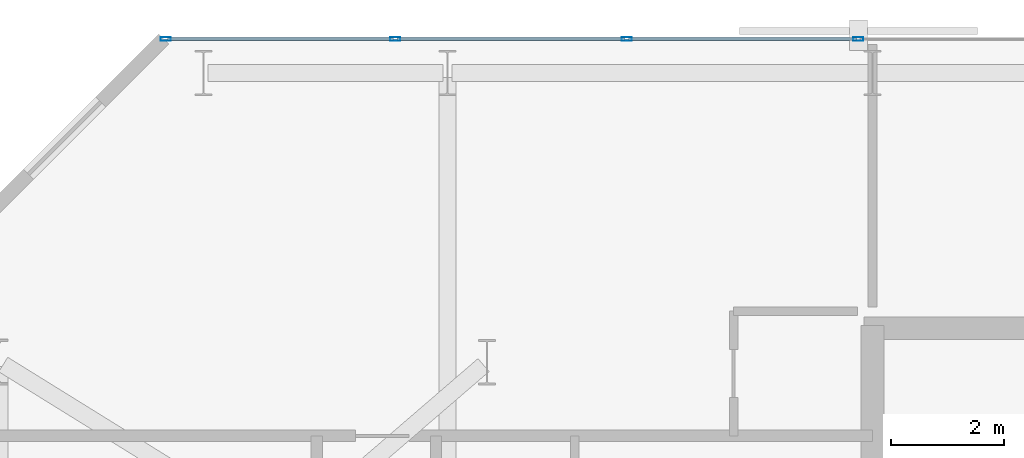
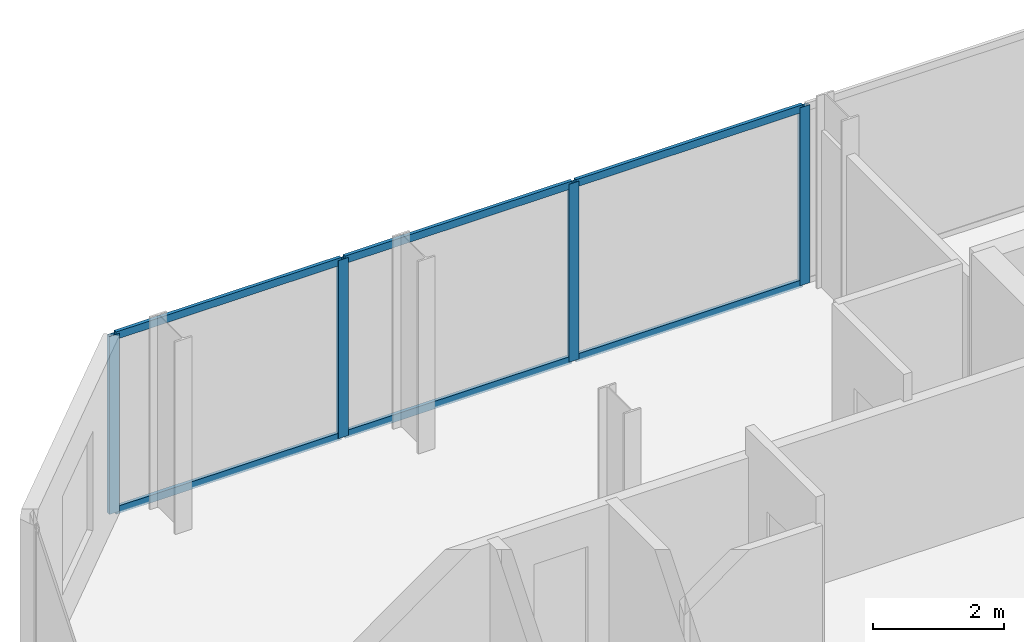
# One storey, part 22 of 33: 10 members, 1 element without a shape of its own.
"""IFC4 building model written with IfcOpenShell, lengths in metres."""

from ifc_helpers import new_model, si_unit, direction, frame, origin, origin_2d, place, context, subcontext, project, spatial, hollow_rectangle, extrude, material, layer, layer_set, material_profile, profile_set, type_object, element, aggregate, save


model = new_model("IFC4")

# Units and contexts
model_context = context("Model", 3, precision=1e-05, world=origin(), true_north=direction((0.0, 1.0)))
body_context = subcontext(model_context, "Body", "Model", "MODEL_VIEW")
ifc_project = project(units=[si_unit("LENGTHUNIT", "METRE"), si_unit("AREAUNIT", "SQUARE_METRE"), si_unit("VOLUMEUNIT", "CUBIC_METRE"), si_unit("PLANEANGLEUNIT", "RADIAN"), si_unit("MASSUNIT", "GRAM", prefix="KILO")], contexts=[model_context])

# Site, building, storey
site_placement = place(None, origin())
site = spatial("IfcSite", under=ifc_project, at=site_placement, CompositionType="ELEMENT")
building_placement = place(site_placement, origin())
building = spatial("IfcBuilding", under=site, at=building_placement, Name="Catumbela Crestline Tower", CompositionType="ELEMENT")
storey_placement = place(building_placement, frame((0.0, 0.0, 47.4)))
storey = spatial("IfcBuildingStorey", under=building, at=storey_placement, Name="L11", CompositionType="ELEMENT", Elevation=47.4)

# Curtain wall, members
ifc_material = material(Name="Aluminium alloy AW-6060-T66", Category="aluminium")
ifc_layer = layer(ifc_material, 0.18, Name="Aluminium alloy AW-6060-T66")
ifc_layer_set = layer_set([ifc_layer], Name="Aluminium alloy AW-6060-T66")
curtain_wall_type = type_object("IfcCurtainWallType", Name="CWU-Z1", PredefinedType="USERDEFINED", material=ifc_layer_set)
curtain_wall_placement = place(storey_placement, origin())
curtain_wall = element("IfcCurtainWall", 1, at=curtain_wall_placement, inside=storey, type_object=curtain_wall_type, Name="L11 Unitised Curtain Wall CW-L11-E7S1", ObjectType="UNITISED", PredefinedType="USERDEFINED")
ifc_material_profile_1 = material_profile(ifc_material, hollow_rectangle(XDim=0.065, YDim=0.18, WallThickness=0.004, at=origin_2d()), Name="ALU 180x65x4")
ifc_profile_set_1 = profile_set([ifc_material_profile_1], Name="Aluminium alloy AW-6060-T66")
member_type_1 = type_object("IfcMemberType", Name="MUL-180X65", PredefinedType="MULLION", material=ifc_profile_set_1)
member_1_placement = place(storey_placement, frame((15.75, 48.0, 0.0), z_axis=(0.0, 0.0, 1.0), x_axis=(0.0, -1.0, 0.0)))
member_1 = element("IfcMember", 2, at=member_1_placement, type_object=member_type_1, Name="CWU-Z1 mullion 10", PredefinedType="MULLION", context=body_context, shape_type="SweptSolid", body=[
    extrude(hollow_rectangle(XDim=0.065, YDim=0.18, WallThickness=0.004, at=origin_2d()), origin(), (0.0, 0.0, 1.0), 3.33),
])
member_2_placement = place(storey_placement, frame((11.6667, 48.0, 0.0), z_axis=(0.0, 0.0, 1.0), x_axis=(0.0, -1.0, 0.0)))
member_2 = element("IfcMember", 3, at=member_2_placement, type_object=member_type_1, Name="CWU-Z1 mullion 11", PredefinedType="MULLION", context=body_context, shape_type="SweptSolid", body=[
    extrude(hollow_rectangle(XDim=0.065, YDim=0.18, WallThickness=0.004, at=origin_2d()), origin(), (0.0, 0.0, 1.0), 3.33),
])
member_3_placement = place(storey_placement, frame((7.5833, 48.0, 0.0), z_axis=(0.0, 0.0, 1.0), x_axis=(0.0, -1.0, 0.0)))
member_3 = element("IfcMember", 4, at=member_3_placement, type_object=member_type_1, Name="CWU-Z1 mullion 12", PredefinedType="MULLION", context=body_context, shape_type="SweptSolid", body=[
    extrude(hollow_rectangle(XDim=0.065, YDim=0.18, WallThickness=0.004, at=origin_2d()), origin(), (0.0, 0.0, 1.0), 3.33),
])
member_4_placement = place(storey_placement, frame((3.5325, 48.0, 0.0), z_axis=(0.0, 0.0, 1.0), x_axis=(0.0, -1.0, 0.0)))
member_4 = element("IfcMember", 5, at=member_4_placement, type_object=member_type_1, Name="CWU-Z1 mullion 13", PredefinedType="MULLION", context=body_context, shape_type="SweptSolid", body=[
    extrude(hollow_rectangle(XDim=0.065, YDim=0.18, WallThickness=0.004, at=origin_2d()), origin(), (0.0, 0.0, 1.0), 3.33),
])
ifc_material_profile_2 = material_profile(ifc_material, hollow_rectangle(XDim=0.06, YDim=0.14, WallThickness=0.004, at=origin_2d()), Name="ALU 140x60x4")
ifc_profile_set_2 = profile_set([ifc_material_profile_2], Name="Aluminium alloy AW-6060-T66")
member_type_2 = type_object("IfcMemberType", Name="TRN-140X60", PredefinedType="USERDEFINED", material=ifc_profile_set_2)
member_5_placement = place(storey_placement, frame((15.7175, 48.0, 0.03), z_axis=(-1.0, 0.0, 0.0), x_axis=(0.0, -1.0, 0.0)))
member_5 = element("IfcMember", 6, at=member_5_placement, type_object=member_type_2, Name="CWU-Z1 transom 10.1", ObjectType="TRANSOM", PredefinedType="USERDEFINED", context=body_context, shape_type="SweptSolid", body=[
    extrude(hollow_rectangle(XDim=0.06, YDim=0.14, WallThickness=0.004, at=origin_2d()), origin(), (0.0, 0.0, 1.0), 4.0183),
])
member_6_placement = place(storey_placement, frame((15.7175, 48.0, 3.3), z_axis=(-1.0, 0.0, 0.0), x_axis=(0.0, -1.0, 0.0)))
member_6 = element("IfcMember", 7, at=member_6_placement, type_object=member_type_2, Name="CWU-Z1 transom 10.2", ObjectType="TRANSOM", PredefinedType="USERDEFINED", context=body_context, shape_type="SweptSolid", body=[
    extrude(hollow_rectangle(XDim=0.06, YDim=0.14, WallThickness=0.004, at=origin_2d()), origin(), (0.0, 0.0, 1.0), 4.0183),
])
member_7_placement = place(storey_placement, frame((11.6342, 48.0, 0.03), z_axis=(-1.0, 0.0, 0.0), x_axis=(0.0, -1.0, 0.0)))
member_7 = element("IfcMember", 8, at=member_7_placement, type_object=member_type_2, Name="CWU-Z1 transom 11.1", ObjectType="TRANSOM", PredefinedType="USERDEFINED", context=body_context, shape_type="SweptSolid", body=[
    extrude(hollow_rectangle(XDim=0.06, YDim=0.14, WallThickness=0.004, at=origin_2d()), origin(), (0.0, 0.0, 1.0), 4.0184),
])
member_8_placement = place(storey_placement, frame((11.6342, 48.0, 3.3), z_axis=(-1.0, 0.0, 0.0), x_axis=(0.0, -1.0, 0.0)))
member_8 = element("IfcMember", 9, at=member_8_placement, type_object=member_type_2, Name="CWU-Z1 transom 11.2", ObjectType="TRANSOM", PredefinedType="USERDEFINED", context=body_context, shape_type="SweptSolid", body=[
    extrude(hollow_rectangle(XDim=0.06, YDim=0.14, WallThickness=0.004, at=origin_2d()), origin(), (0.0, 0.0, 1.0), 4.0184),
])
member_9_placement = place(storey_placement, frame((7.5508, 48.0, 0.03), z_axis=(-1.0, 0.0, 0.0), x_axis=(0.0, -1.0, 0.0)))
member_9 = element("IfcMember", 10, at=member_9_placement, type_object=member_type_2, Name="CWU-Z1 transom 12.1", ObjectType="TRANSOM", PredefinedType="USERDEFINED", context=body_context, shape_type="SweptSolid", body=[
    extrude(hollow_rectangle(XDim=0.06, YDim=0.14, WallThickness=0.004, at=origin_2d()), origin(), (0.0, 0.0, 1.0), 3.9858),
])
member_10_placement = place(storey_placement, frame((7.5508, 48.0, 3.3), z_axis=(-1.0, 0.0, 0.0), x_axis=(0.0, -1.0, 0.0)))
member_10 = element("IfcMember", 11, at=member_10_placement, type_object=member_type_2, Name="CWU-Z1 transom 12.2", ObjectType="TRANSOM", PredefinedType="USERDEFINED", context=body_context, shape_type="SweptSolid", body=[
    extrude(hollow_rectangle(XDim=0.06, YDim=0.14, WallThickness=0.004, at=origin_2d()), origin(), (0.0, 0.0, 1.0), 3.9858),
])
aggregate(curtain_wall, [member_1, member_2, member_3, member_4, member_5, member_6, member_7, member_8, member_9, member_10])

save(model, "model.ifc")
